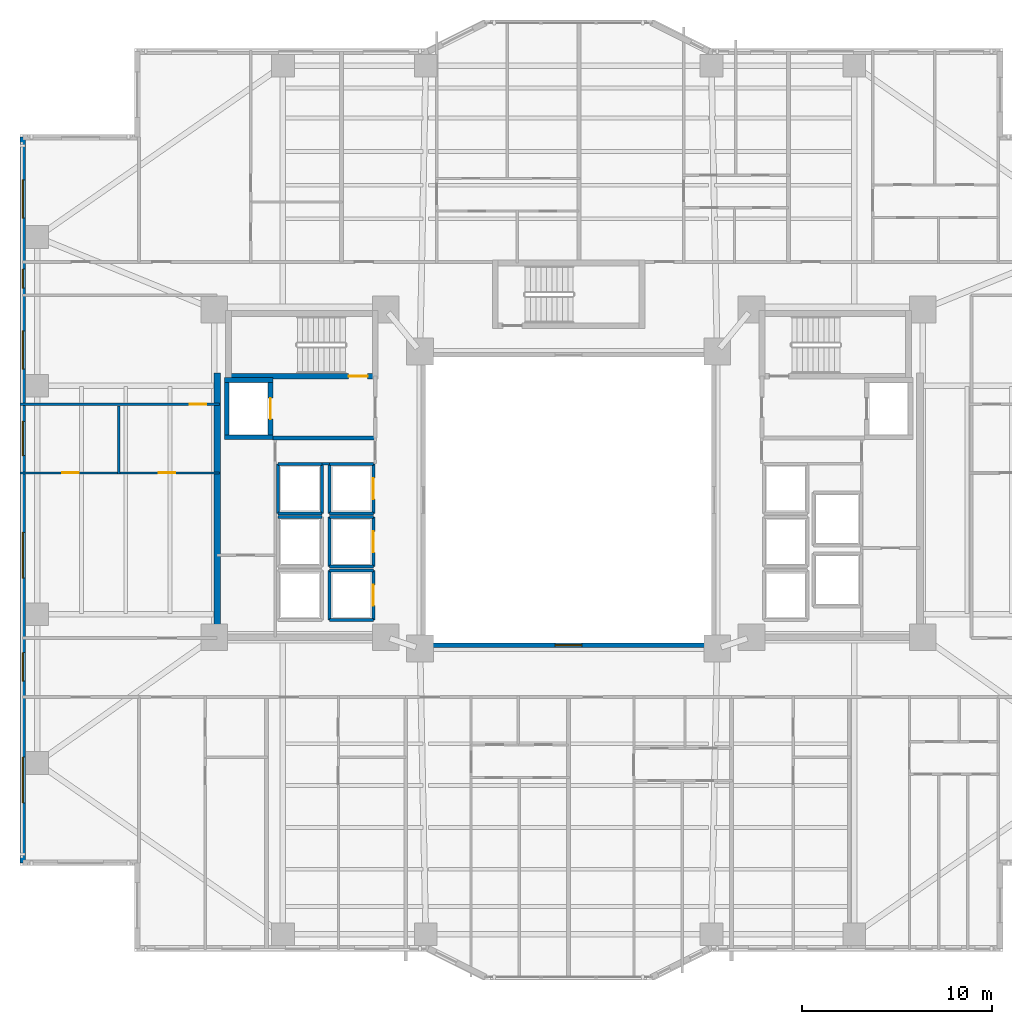
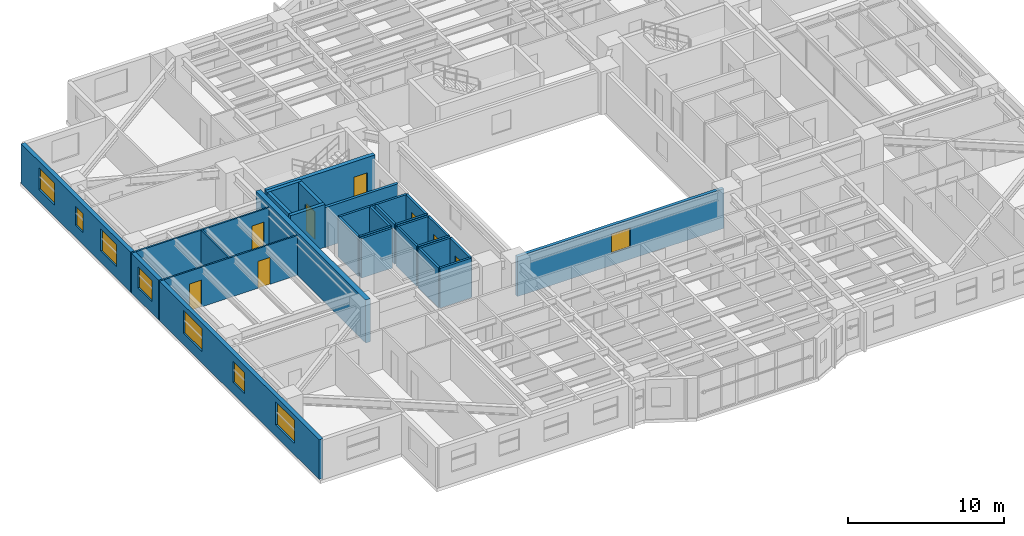
# One storey, part 11 of 22: 30 walls, 8 doors, 8 windows, 16 openings.
"""IFC4 building model written with IfcOpenShell, lengths in metres."""

from ifc_helpers import new_model, si_unit, direction, frame, frame_2d, origin, place, context, subcontext, project, spatial, rectangle, extrude, material, layer, layer_set, type_object, element, fill, save


model = new_model("IFC4")

# Units and contexts
model_context = context("Model", 3, precision=1e-05, world=origin(), true_north=direction((0.0, 1.0)))
body_context = subcontext(model_context, "Body", "Model", "MODEL_VIEW")
ifc_project = project(units=[si_unit("LENGTHUNIT", "METRE"), si_unit("AREAUNIT", "SQUARE_METRE"), si_unit("VOLUMEUNIT", "CUBIC_METRE"), si_unit("PLANEANGLEUNIT", "RADIAN"), si_unit("MASSUNIT", "GRAM", prefix="KILO")], contexts=[model_context])

# Site, building, storey
site_placement = place(None, origin())
site = spatial("IfcSite", under=ifc_project, at=site_placement, CompositionType="ELEMENT")
building_placement = place(site_placement, origin())
building = spatial("IfcBuilding", under=site, at=building_placement, Name="Tarnavaz Court Tower", CompositionType="ELEMENT")
storey_placement = place(building_placement, frame((0.0, 0.0, 57.5)))
storey = spatial("IfcBuildingStorey", under=building, at=storey_placement, Name="L15", CompositionType="ELEMENT", Elevation=57.5)

# Wall
ifc_material_1 = material(Name="Concrete C60/75", Category="concrete")
ifc_layer_1 = layer(ifc_material_1, 0.25)
ifc_layer_set_1 = layer_set([ifc_layer_1], Name="Concrete C60/75")
wall_type_1 = type_object("IfcWallType", Name="WL-CORE-250-C60", PredefinedType="SHEAR", material=ifc_layer_set_1)
wall_1_placement = place(storey_placement, frame((-17.949951171875, 3.175048828125, 0.0), z_axis=(0.0, 0.0, 1.0), x_axis=(0.0, 1.0, 0.0)))
element("IfcWall", 1, at=wall_1_placement, inside=storey, type_object=wall_type_1, Name="L15 Lift FL-W1 Shaft Wall 017", PredefinedType="SHEAR", context=body_context, shape_type="SweptSolid", body=[
    extrude(rectangle(XDim=3.25, YDim=0.25, at=frame_2d((1.625, 0.0))), origin(), (0.0, 0.0, 1.0), 3.35009765625),
])

# Wall, opening, door
wall_2_placement = place(storey_placement, frame((-15.64990234375, 3.175048828125, 0.0), z_axis=(0.0, 0.0, 1.0), x_axis=(0.0, 1.0, 0.0)))
wall_2 = element("IfcWall", 2, at=wall_2_placement, inside=storey, type_object=wall_type_1, Name="L15 Lift FL-W1 Shaft Wall 018", PredefinedType="SHEAR", context=body_context, shape_type="SweptSolid", body=[
    extrude(rectangle(XDim=3.25, YDim=0.25, at=frame_2d((1.625, 0.0))), origin(), (0.0, 0.0, 1.0), 3.35009765625),
])
opening_1_placement = place(wall_2_placement, frame((1.074951171875, 0.0, 0.0)))
opening_1 = element("IfcOpeningElement", 3, at=opening_1_placement, cuts=wall_2, Name="Opening LD1", PredefinedType="OPENING", context=body_context, shape_type="SweptSolid", body=[
    extrude(rectangle(XDim=1.10009765625, YDim=2.14990234375, at=frame_2d((0.550048828125, 1.074951171875))), frame((0.0, 0.135009765625, 0.0), z_axis=(0.0, -1.0, 0.0), x_axis=(1.0, 0.0, 0.0)), (0.0, 0.0, 1.0), 0.27001953125),
])
ifc_material_2 = material(Name="Stainless Steel", Category="steel")
door_type_1 = type_object("IfcDoorType", Name="DR-LD-1100", OperationType="NOTDEFINED", PredefinedType="DOOR", material=ifc_material_2)
door_1_placement = place(opening_1_placement, origin())
door_1 = element("IfcDoor", 4, at=door_1_placement, inside=storey, type_object=door_type_1, Name="L15 Lift Landing Door LD-FL-W1", OperationType="SLIDING_TO_LEFT", OverallHeight=2.14990234375, OverallWidth=1.10009765625, PredefinedType="DOOR", context=body_context, shape_type="SweptSolid", body=[
    extrude(rectangle(XDim=1.10009765625, YDim=2.14990234375, at=frame_2d((0.550048828125, 1.074951171875))), frame((0.0, 0.02490234375, 0.0), z_axis=(0.0, -1.0, 0.0), x_axis=(1.0, 0.0, 0.0)), (0.0, 0.0, 1.0), 0.050048828125),
])
fill(opening_1, door_1)

# Walls
for number, where, z_axis, x_axis, name in (
    (5, (-18.074951171875, 3.300048828125, 0.0), (0.0, 0.0, 1.0), (1.0, 0.0, 0.0), "L15 Lift FL-W1 Shaft Wall 019"),
    (6, (-18.074951171875, 6.300048828125, 0.0), (0.0, 0.0, 1.0), (1.0, 0.0, 0.0), "L15 Lift FL-W1 Shaft Wall 020"),
):
    element("IfcWall", number, at=place(storey_placement, frame(where, z_axis=z_axis, x_axis=x_axis)), inside=storey, type_object=wall_type_1, Name=name, PredefinedType="SHEAR", context=body_context, shape_type="SweptSolid", body=[
        extrude(rectangle(XDim=2.550048828125, YDim=0.25, at=frame_2d((1.27490234375, 0.0))), origin(), (0.0, 0.0, 1.0), 3.35009765625),
    ])

# Wall, opening, door
ifc_layer_2 = layer(ifc_material_1, 0.300048828125)
ifc_layer_set_2 = layer_set([ifc_layer_2], Name="Concrete C60/75")
wall_type_2 = type_object("IfcWallType", Name="WL-CORE-300-C60", PredefinedType="SHEAR", material=ifc_layer_set_2)
wall_3_placement = place(storey_placement, frame((-18.0, 6.5, 0.0), z_axis=(0.0, 0.0, 1.0), x_axis=(1.0, 0.0, 0.0)))
wall_3 = element("IfcWall", 7, at=wall_3_placement, inside=storey, type_object=wall_type_2, Name="L15 West Stair Core Wall 002", PredefinedType="SHEAR", context=body_context, shape_type="SweptSolid", body=[
    extrude(rectangle(XDim=8.0, YDim=0.300048828125, at=frame_2d((4.0, 0.0))), origin(), (0.0, 0.0, 1.0), 3.35009765625),
])
opening_2_placement = place(wall_3_placement, frame((6.449951171875, 0.0, 0.0)))
opening_2 = element("IfcOpeningElement", 8, at=opening_2_placement, cuts=wall_3, Name="Opening D01", PredefinedType="OPENING", context=body_context, shape_type="SweptSolid", body=[
    extrude(rectangle(XDim=1.0, YDim=2.14990234375, at=frame_2d((0.5, 1.074951171875))), frame((0.0, 0.159912109375, 0.0), z_axis=(0.0, -1.0, 0.0), x_axis=(1.0, 0.0, 0.0)), (0.0, 0.0, 1.0), 0.320068359375),
])
ifc_material_3 = material(Name="Fire-Rated Hardwood Timber Core", Category="wood")
door_type_2 = type_object("IfcDoorType", Name="DR-FD90-1000", OperationType="NOTDEFINED", PredefinedType="DOOR", material=ifc_material_3)
door_2_placement = place(opening_2_placement, origin())
door_2 = element("IfcDoor", 9, at=door_2_placement, inside=storey, type_object=door_type_2, Name="L15 Stair ST-W1 Exit Door", OperationType="SINGLE_SWING_LEFT", OverallHeight=2.14990234375, OverallWidth=1.0, PredefinedType="DOOR", context=body_context, shape_type="SweptSolid", body=[
    extrude(rectangle(XDim=1.0, YDim=2.14990234375, at=frame_2d((0.5, 1.074951171875))), frame((0.0, 0.02490234375, 0.0), z_axis=(0.0, -1.0, 0.0), x_axis=(1.0, 0.0, 0.0)), (0.0, 0.0, 1.0), 0.050048828125),
])
fill(opening_2, door_2)

# Wall
ifc_layer_3 = layer(ifc_material_1, 0.35009765625)
ifc_layer_set_3 = layer_set([ifc_layer_3], Name="Concrete C60/75")
wall_type_3 = type_object("IfcWallType", Name="WL-CORE-350-C60", PredefinedType="SHEAR", material=ifc_layer_set_3)
wall_4_placement = place(storey_placement, frame((-18.449951171875, -7.375, 0.0), z_axis=(0.0, 0.0, 1.0), x_axis=(0.0, 1.0, 0.0)))
element("IfcWall", 10, at=wall_4_placement, inside=storey, type_object=wall_type_3, Name="L15 West Core Shear Wall 069", PredefinedType="SHEAR", context=body_context, shape_type="SweptSolid", body=[
    extrude(rectangle(XDim=14.050048828125, YDim=0.35009765625, at=frame_2d((7.02490234375, 0.0))), origin(), (0.0, 0.0, 1.0), 3.35009765625),
])

# Wall, openings, windows
ifc_material_4 = material(Name="Precast Concrete C40/50", Category="concrete")
ifc_layer_4 = layer(ifc_material_4, 0.300048828125)
ifc_layer_set_4 = layer_set([ifc_layer_4], Name="Precast Concrete C40/50")
wall_type_4 = type_object("IfcWallType", Name="WL-EXT-300", PredefinedType="SOLIDWALL", material=ifc_layer_set_4)
wall_5_placement = place(storey_placement, frame((-28.64990234375, -19.050048828125, 0.0), z_axis=(0.0, 0.0, 1.0), x_axis=(0.0, 1.0, 0.0)))
wall_5 = element("IfcWall", 11, at=wall_5_placement, inside=storey, type_object=wall_type_4, Name="L15 Exterior Terracotta Facade Wall 02", PredefinedType="SOLIDWALL", context=body_context, shape_type="SweptSolid", body=[
    extrude(rectangle(XDim=38.10009765625, YDim=0.300048828125, at=frame_2d((19.050048828125, 0.0))), origin(), (0.0, 0.0, 1.0), 3.10009765625),
])
opening_3_placement = place(wall_5_placement, frame((3.14990234375, 0.0, 0.89990234375)))
opening_3 = element("IfcOpeningElement", 12, at=opening_3_placement, cuts=wall_5, Name="Opening W06", PredefinedType="OPENING", context=body_context, shape_type="SweptSolid", body=[
    extrude(rectangle(XDim=2.39990234375, YDim=1.800048828125, at=frame_2d((1.199951171875, 0.89990234375))), frame((0.0, 0.159912109375, 0.0), z_axis=(0.0, -1.0, 0.0), x_axis=(1.0, 0.0, 0.0)), (0.0, 0.0, 1.0), 0.320068359375),
])
opening_4_placement = place(wall_5_placement, frame((9.54248046875, 0.0, 0.89990234375)))
opening_4 = element("IfcOpeningElement", 13, at=opening_4_placement, cuts=wall_5, Name="Opening W03", PredefinedType="OPENING", context=body_context, shape_type="SweptSolid", body=[
    extrude(rectangle(XDim=1.5, YDim=1.64990234375, at=frame_2d((0.75, 0.824951171875))), frame((0.0, 0.159912109375, 0.0), z_axis=(0.0, -1.0, 0.0), x_axis=(1.0, 0.0, 0.0)), (0.0, 0.0, 1.0), 0.320068359375),
])
opening_5_placement = place(wall_5_placement, frame((14.949951171875, 0.0, 0.89990234375)))
opening_5 = element("IfcOpeningElement", 14, at=opening_5_placement, cuts=wall_5, Name="Opening W06", PredefinedType="OPENING", context=body_context, shape_type="SweptSolid", body=[
    extrude(rectangle(XDim=2.39990234375, YDim=1.800048828125, at=frame_2d((1.199951171875, 0.89990234375))), frame((0.0, 0.159912109375, 0.0), z_axis=(0.0, -1.0, 0.0), x_axis=(1.0, 0.0, 0.0)), (0.0, 0.0, 1.0), 0.320068359375),
])
opening_6_placement = place(wall_5_placement, frame((21.375, 0.0, 0.89990234375)))
opening_6 = element("IfcOpeningElement", 15, at=opening_6_placement, cuts=wall_5, Name="Opening W01", PredefinedType="OPENING", context=body_context, shape_type="SweptSolid", body=[
    extrude(rectangle(XDim=1.800048828125, YDim=1.64990234375, at=frame_2d((0.89990234375, 0.824951171875))), frame((0.0, 0.159912109375, 0.0), z_axis=(0.0, -1.0, 0.0), x_axis=(1.0, 0.0, 0.0)), (0.0, 0.0, 1.0), 0.320068359375),
])
opening_7_placement = place(wall_5_placement, frame((25.925048828125, 0.0, 0.89990234375)))
opening_7 = element("IfcOpeningElement", 16, at=opening_7_placement, cuts=wall_5, Name="Opening W08", PredefinedType="OPENING", context=body_context, shape_type="SweptSolid", body=[
    extrude(rectangle(XDim=2.0, YDim=1.699951171875, at=frame_2d((1.0, 0.85009765625))), frame((0.0, 0.159912109375, 0.0), z_axis=(0.0, -1.0, 0.0), x_axis=(1.0, 0.0, 0.0)), (0.0, 0.0, 1.0), 0.320068359375),
])
opening_8_placement = place(wall_5_placement, frame((30.175048828125, 0.0, 0.949951171875)))
opening_8 = element("IfcOpeningElement", 17, at=opening_8_placement, cuts=wall_5, Name="Opening W14", PredefinedType="OPENING", context=body_context, shape_type="SweptSolid", body=[
    extrude(rectangle(XDim=1.0, YDim=1.5, at=frame_2d((0.5, 0.75))), frame((0.0, 0.159912109375, 0.0), z_axis=(0.0, -1.0, 0.0), x_axis=(1.0, 0.0, 0.0)), (0.0, 0.0, 1.0), 0.320068359375),
])
opening_9_placement = place(wall_5_placement, frame((33.85009765625, 0.0, 0.89990234375)))
opening_9 = element("IfcOpeningElement", 18, at=opening_9_placement, cuts=wall_5, Name="Opening W08", PredefinedType="OPENING", context=body_context, shape_type="SweptSolid", body=[
    extrude(rectangle(XDim=2.0, YDim=1.699951171875, at=frame_2d((1.0, 0.85009765625))), frame((0.0, 0.159912109375, 0.0), z_axis=(0.0, -1.0, 0.0), x_axis=(1.0, 0.0, 0.0)), (0.0, 0.0, 1.0), 0.320068359375),
])
ifc_material_5 = material(Name="Double-Glazed Solar Low-E Glass", Category="glass")
window_type_1 = type_object("IfcWindowType", Name="WN-APT-1000", PartitioningType="SINGLE_PANEL", PredefinedType="WINDOW", material=ifc_material_5)
window_1_placement = place(opening_8_placement, origin())
window_1 = element("IfcWindow", 19, at=window_1_placement, inside=storey, type_object=window_type_1, Name="L15 North-West Corner Corridor Window", OverallHeight=1.5, OverallWidth=1.0, PartitioningType="SINGLE_PANEL", PredefinedType="WINDOW", context=body_context, shape_type="SweptSolid", body=[
    extrude(rectangle(XDim=1.0, YDim=1.5, at=frame_2d((0.5, 0.75))), frame((0.0, 0.030029296875, 0.0), z_axis=(0.0, -1.0, 0.0), x_axis=(1.0, 0.0, 0.0)), (0.0, 0.0, 1.0), 0.06005859375),
])
fill(opening_8, window_1)
window_type_2 = type_object("IfcWindowType", Name="WN-APT-1500", PartitioningType="DOUBLE_PANEL_VERTICAL", PredefinedType="WINDOW", material=ifc_material_5)
window_2_placement = place(opening_4_placement, origin())
window_2 = element("IfcWindow", 20, at=window_2_placement, inside=storey, type_object=window_type_2, Name="L15 South-West Corner Corridor Window", OverallHeight=1.64990234375, OverallWidth=1.5, PartitioningType="SINGLE_PANEL", PredefinedType="WINDOW", context=body_context, shape_type="SweptSolid", body=[
    extrude(rectangle(XDim=1.5, YDim=1.64990234375, at=frame_2d((0.75, 0.824951171875))), frame((0.0, 0.030029296875, 0.0), z_axis=(0.0, -1.0, 0.0), x_axis=(1.0, 0.0, 0.0)), (0.0, 0.0, 1.0), 0.06005859375),
])
fill(opening_4, window_2)
window_type_3 = type_object("IfcWindowType", Name="WN-APT-1800", PartitioningType="DOUBLE_PANEL_VERTICAL", PredefinedType="WINDOW", material=ifc_material_5)
window_3_placement = place(opening_6_placement, origin())
window_3 = element("IfcWindow", 21, at=window_3_placement, inside=storey, type_object=window_type_3, Name="L15 Flat 11 Kitchen Window", OverallHeight=1.64990234375, OverallWidth=1.800048828125, PartitioningType="SINGLE_PANEL", PredefinedType="WINDOW", context=body_context, shape_type="SweptSolid", body=[
    extrude(rectangle(XDim=1.800048828125, YDim=1.64990234375, at=frame_2d((0.89990234375, 0.824951171875))), frame((0.0, 0.030029296875, 0.0), z_axis=(0.0, -1.0, 0.0), x_axis=(1.0, 0.0, 0.0)), (0.0, 0.0, 1.0), 0.06005859375),
])
fill(opening_6, window_3)
window_type_4 = type_object("IfcWindowType", Name="WN-APT-2000", PartitioningType="DOUBLE_PANEL_VERTICAL", PredefinedType="WINDOW", material=ifc_material_5)
window_4_placement = place(opening_7_placement, origin())
window_4 = element("IfcWindow", 22, at=window_4_placement, inside=storey, type_object=window_type_4, Name="L15 Flat 11 Study Room Window", OverallHeight=1.699951171875, OverallWidth=2.0, PartitioningType="SINGLE_PANEL", PredefinedType="WINDOW", context=body_context, shape_type="SweptSolid", body=[
    extrude(rectangle(XDim=2.0, YDim=1.699951171875, at=frame_2d((1.0, 0.85009765625))), frame((0.0, 0.030029296875, 0.0), z_axis=(0.0, -1.0, 0.0), x_axis=(1.0, 0.0, 0.0)), (0.0, 0.0, 1.0), 0.06005859375),
])
fill(opening_7, window_4)
window_5_placement = place(opening_9_placement, origin())
window_5 = element("IfcWindow", 23, at=window_5_placement, inside=storey, type_object=window_type_4, Name="L15 North-West Corner Sunroom Study Window", OverallHeight=1.699951171875, OverallWidth=2.0, PartitioningType="SINGLE_PANEL", PredefinedType="WINDOW", context=body_context, shape_type="SweptSolid", body=[
    extrude(rectangle(XDim=2.0, YDim=1.699951171875, at=frame_2d((1.0, 0.85009765625))), frame((0.0, 0.030029296875, 0.0), z_axis=(0.0, -1.0, 0.0), x_axis=(1.0, 0.0, 0.0)), (0.0, 0.0, 1.0), 0.06005859375),
])
fill(opening_9, window_5)
window_type_5 = type_object("IfcWindowType", Name="WN-APT-2400", PartitioningType="TRIPLE_PANEL_VERTICAL", PredefinedType="WINDOW", material=ifc_material_5)
window_6_placement = place(opening_3_placement, origin())
window_6 = element("IfcWindow", 24, at=window_6_placement, inside=storey, type_object=window_type_5, Name="L15 South-West Corner Reading Room Window", OverallHeight=1.800048828125, OverallWidth=2.39990234375, PartitioningType="SINGLE_PANEL", PredefinedType="WINDOW", context=body_context, shape_type="SweptSolid", body=[
    extrude(rectangle(XDim=2.39990234375, YDim=1.800048828125, at=frame_2d((1.199951171875, 0.89990234375))), frame((0.0, 0.030029296875, 0.0), z_axis=(0.0, -1.0, 0.0), x_axis=(1.0, 0.0, 0.0)), (0.0, 0.0, 1.0), 0.06005859375),
])
fill(opening_3, window_6)
window_7_placement = place(opening_5_placement, origin())
window_7 = element("IfcWindow", 25, at=window_7_placement, inside=storey, type_object=window_type_5, Name="L15 Flat 11 Studio Living and Sleeping Room Window", OverallHeight=1.800048828125, OverallWidth=2.39990234375, PartitioningType="SINGLE_PANEL", PredefinedType="WINDOW", context=body_context, shape_type="SweptSolid", body=[
    extrude(rectangle(XDim=2.39990234375, YDim=1.800048828125, at=frame_2d((1.199951171875, 0.89990234375))), frame((0.0, 0.030029296875, 0.0), z_axis=(0.0, -1.0, 0.0), x_axis=(1.0, 0.0, 0.0)), (0.0, 0.0, 1.0), 0.06005859375),
])
fill(opening_5, window_7)

# Wall
ifc_material_6 = material(Name="Autoclaved Aerated Concrete Blockwork", Category="masonry")
ifc_layer_5 = layer(ifc_material_6, 0.199951171875)
ifc_layer_set_5 = layer_set([ifc_layer_5], Name="Autoclaved Aerated Concrete Blockwork")
wall_type_5 = type_object("IfcWallType", Name="WL-FIRE-200", PredefinedType="SOLIDWALL", material=ifc_layer_set_5)
wall_6_placement = place(storey_placement, frame((-15.550048828125, 3.25, 0.0), z_axis=(0.0, 0.0, 1.0), x_axis=(1.0, 0.0, 0.0)))
element("IfcWall", 26, at=wall_6_placement, inside=storey, type_object=wall_type_5, Name="L15 West Firefighting Lobby Wall 013", PredefinedType="SOLIDWALL", context=body_context, shape_type="SweptSolid", body=[
    extrude(rectangle(XDim=5.400146484375, YDim=0.199951171875, at=frame_2d((2.7001953125, 0.0))), origin(), (0.0, 0.0, 1.0), 3.10009765625),
])

# Wall, openings, doors
ifc_material_7 = material(Name="Moisture-Resistant Gypsum Board Partition", Category="masonry")
ifc_layer_6 = layer(ifc_material_7, 0.1201171875)
ifc_layer_set_6 = layer_set([ifc_layer_6], Name="Moisture-Resistant Gypsum Board Partition")
wall_type_6 = type_object("IfcWallType", Name="WL-PART-120", PredefinedType="PARTITIONING", material=ifc_layer_set_6)
wall_7_placement = place(storey_placement, frame((-28.800048828125, 1.419921875, 0.0), z_axis=(0.0, 0.0, 1.0), x_axis=(1.0, 0.0, 0.0)))
wall_7 = element("IfcWall", 27, at=wall_7_placement, inside=storey, type_object=wall_type_6, Name="L15 Interior Partition 156", PredefinedType="PARTITIONING", context=body_context, shape_type="SweptSolid", body=[
    extrude(rectangle(XDim=10.469970703125, YDim=0.1201171875, at=frame_2d((5.23486328125, 0.0))), origin(), (0.0, 0.0, 1.0), 3.10009765625),
])
opening_10_placement = place(wall_7_placement, frame((2.212890625, 0.0, 0.0)))
opening_10 = element("IfcOpeningElement", 28, at=opening_10_placement, cuts=wall_7, Name="Opening D14", PredefinedType="OPENING", context=body_context, shape_type="SweptSolid", body=[
    extrude(rectangle(XDim=0.8798828125, YDim=2.10009765625, at=frame_2d((0.43994140625, 1.050048828125))), frame((0.0, 0.070068359375, 0.0), z_axis=(0.0, -1.0, 0.0), x_axis=(1.0, 0.0, 0.0)), (0.0, 0.0, 1.0), 0.14013671875),
])
opening_11_placement = place(wall_7_placement, frame((7.278076171875, 0.0, 0.0)))
opening_11 = element("IfcOpeningElement", 29, at=opening_11_placement, cuts=wall_7, Name="Opening D14", PredefinedType="OPENING", context=body_context, shape_type="SweptSolid", body=[
    extrude(rectangle(XDim=0.8798828125, YDim=2.10009765625, at=frame_2d((0.43994140625, 1.050048828125))), frame((0.0, 0.070068359375, 0.0), z_axis=(0.0, -1.0, 0.0), x_axis=(1.0, 0.0, 0.0)), (0.0, 0.0, 1.0), 0.14013671875),
])
ifc_material_8 = material(Name="Engineered Oak Timber", Category="wood")
door_type_3 = type_object("IfcDoorType", Name="DR-INT-900", OperationType="NOTDEFINED", PredefinedType="DOOR", material=ifc_material_8)
door_3_placement = place(opening_10_placement, origin())
door_3 = element("IfcDoor", 30, at=door_3_placement, inside=storey, type_object=door_type_3, Name="L15 Flat 11 Kitchen Door", OperationType="SINGLE_SWING_LEFT", OverallHeight=2.10009765625, OverallWidth=0.8798828125, PredefinedType="DOOR", context=body_context, shape_type="SweptSolid", body=[
    extrude(rectangle(XDim=0.8798828125, YDim=2.10009765625, at=frame_2d((0.43994140625, 1.050048828125))), frame((0.0, 0.02490234375, 0.0), z_axis=(0.0, -1.0, 0.0), x_axis=(1.0, 0.0, 0.0)), (0.0, 0.0, 1.0), 0.050048828125),
])
fill(opening_10, door_3)
door_4_placement = place(opening_11_placement, origin())
door_4 = element("IfcDoor", 31, at=door_4_placement, inside=storey, type_object=door_type_3, Name="L15 Flat 11 Bathroom Door", OperationType="SINGLE_SWING_RIGHT", OverallHeight=2.10009765625, OverallWidth=0.8798828125, PredefinedType="DOOR", context=body_context, shape_type="SweptSolid", body=[
    extrude(rectangle(XDim=0.8798828125, YDim=2.10009765625, at=frame_2d((0.43994140625, 1.050048828125))), frame((0.0, 0.02490234375, 0.0), z_axis=(0.0, -1.0, 0.0), x_axis=(1.0, 0.0, 0.0)), (0.0, 0.0, 1.0), 0.050048828125),
])
fill(opening_11, door_4)

# Wall, opening, door
wall_8_placement = place(storey_placement, frame((-28.800048828125, 5.02001953125, 0.0), z_axis=(0.0, 0.0, 1.0), x_axis=(1.0, 0.0, 0.0)))
wall_8 = element("IfcWall", 32, at=wall_8_placement, inside=storey, type_object=wall_type_6, Name="L15 Interior Partition 157", PredefinedType="PARTITIONING", context=body_context, shape_type="SweptSolid", body=[
    extrude(rectangle(XDim=10.469970703125, YDim=0.1201171875, at=frame_2d((5.23486328125, 0.0))), origin(), (0.0, 0.0, 1.0), 3.10009765625),
])
opening_12_placement = place(wall_8_placement, frame((8.89990234375, 0.0, 0.0)))
opening_12 = element("IfcOpeningElement", 33, at=opening_12_placement, cuts=wall_8, Name="Opening D14", PredefinedType="OPENING", context=body_context, shape_type="SweptSolid", body=[
    extrude(rectangle(XDim=0.8798828125, YDim=2.10009765625, at=frame_2d((0.43994140625, 1.050048828125))), frame((0.0, 0.070068359375, 0.0), z_axis=(0.0, -1.0, 0.0), x_axis=(1.0, 0.0, 0.0)), (0.0, 0.0, 1.0), 0.14013671875),
])
door_5_placement = place(opening_12_placement, origin())
door_5 = element("IfcDoor", 34, at=door_5_placement, inside=storey, type_object=door_type_3, Name="L15 Flat 11 Study Door", OperationType="SINGLE_SWING_LEFT", OverallHeight=2.10009765625, OverallWidth=0.8798828125, PredefinedType="DOOR", context=body_context, shape_type="SweptSolid", body=[
    extrude(rectangle(XDim=0.8798828125, YDim=2.10009765625, at=frame_2d((0.43994140625, 1.050048828125))), frame((0.0, 0.02490234375, 0.0), z_axis=(0.0, -1.0, 0.0), x_axis=(1.0, 0.0, 0.0)), (0.0, 0.0, 1.0), 0.050048828125),
])
fill(opening_12, door_5)

# Walls
wall_9_placement = place(storey_placement, frame((-23.614990234375, 1.360107421875, 0.0), z_axis=(0.0, 0.0, 1.0), x_axis=(0.0, 1.0, 0.0)))
element("IfcWall", 35, at=wall_9_placement, inside=storey, type_object=wall_type_6, Name="L15 Interior Partition 158", PredefinedType="PARTITIONING", context=body_context, shape_type="SweptSolid", body=[
    extrude(rectangle(XDim=3.579833984375, YDim=0.1201171875, at=frame_2d((1.7900390625, 0.0))), origin(), (0.0, 0.0, 1.0), 3.10009765625),
])
ifc_material_9 = material(Name="Gypsum Plasterboard Acoustic Partition", Category="masonry")
ifc_layer_7 = layer(ifc_material_9, 0.139892578125)
ifc_layer_set_7 = layer_set([ifc_layer_7], Name="Gypsum Plasterboard Acoustic Partition")
wall_type_7 = type_object("IfcWallType", Name="WL-PART-150", PredefinedType="PARTITIONING", material=ifc_layer_set_7)
wall_10_placement = place(storey_placement, frame((-12.949951171875, 1.89990234375, 0.0), z_axis=(0.0, 0.0, 1.0), x_axis=(1.0, 0.0, 0.0)))
element("IfcWall", 36, at=wall_10_placement, inside=storey, type_object=wall_type_7, Name="L15 Interior Partition 073", PredefinedType="PARTITIONING", context=body_context, shape_type="SweptSolid", body=[
    extrude(rectangle(XDim=0.39990234375, YDim=0.139892578125, at=frame_2d((0.199951171875, 0.0))), origin(), (0.0, 0.0, 1.0), 3.10009765625),
])
ifc_layer_8 = layer(ifc_material_6, 0.159912109375)
ifc_layer_set_8 = layer_set([ifc_layer_8], Name="Autoclaved Aerated Concrete Blockwork")
wall_type_8 = type_object("IfcWallType", Name="WL-SHAFT-150", PredefinedType="SOLIDWALL", material=ifc_layer_set_8)
wall_11_placement = place(storey_placement, frame((-12.550048828125, -6.300048828125, 0.0), z_axis=(0.0, 0.0, 1.0), x_axis=(0.0, 1.0, 0.0)))
element("IfcWall", 37, at=wall_11_placement, inside=storey, type_object=wall_type_8, Name="L15 Lift PL-L1 Shaft Wall 021", PredefinedType="SOLIDWALL", context=body_context, shape_type="SweptSolid", body=[
    extrude(rectangle(XDim=2.60009765625, YDim=0.159912109375, at=frame_2d((1.300048828125, 0.0))), origin(), (0.0, 0.0, 1.0), 3.10009765625),
])

# Wall, opening, door
wall_12_placement = place(storey_placement, frame((-10.25, -6.300048828125, 0.0), z_axis=(0.0, 0.0, 1.0), x_axis=(0.0, 1.0, 0.0)))
wall_12 = element("IfcWall", 38, at=wall_12_placement, inside=storey, type_object=wall_type_8, Name="L15 Lift PL-L1 Shaft Wall 022", PredefinedType="SOLIDWALL", context=body_context, shape_type="SweptSolid", body=[
    extrude(rectangle(XDim=2.60009765625, YDim=0.159912109375, at=frame_2d((1.300048828125, 0.0))), origin(), (0.0, 0.0, 1.0), 3.10009765625),
])
opening_13_placement = place(wall_12_placement, frame((0.75, 0.0, 0.0)))
opening_13 = element("IfcOpeningElement", 39, at=opening_13_placement, cuts=wall_12, Name="Opening LD1", PredefinedType="OPENING", context=body_context, shape_type="SweptSolid", body=[
    extrude(rectangle(XDim=1.10009765625, YDim=2.14990234375, at=frame_2d((0.550048828125, 1.074951171875))), frame((0.0, 0.08984375, 0.0), z_axis=(0.0, -1.0, 0.0), x_axis=(1.0, 0.0, 0.0)), (0.0, 0.0, 1.0), 0.179931640625),
])
door_6_placement = place(opening_13_placement, origin())
door_6 = element("IfcDoor", 40, at=door_6_placement, inside=storey, type_object=door_type_1, Name="L15 Lift Landing Door LD-PL-L1", OperationType="SLIDING_TO_LEFT", OverallHeight=2.14990234375, OverallWidth=1.10009765625, PredefinedType="DOOR", context=body_context, shape_type="SweptSolid", body=[
    extrude(rectangle(XDim=1.10009765625, YDim=2.14990234375, at=frame_2d((0.550048828125, 1.074951171875))), frame((0.0, 0.02490234375, 0.0), z_axis=(0.0, -1.0, 0.0), x_axis=(1.0, 0.0, 0.0)), (0.0, 0.0, 1.0), 0.050048828125),
])
fill(opening_13, door_6)

# Walls
for number, where, z_axis, x_axis, name in (
    (41, (-12.550048828125, -6.300048828125, 0.0), (0.0, 0.0, 1.0), (1.0, 0.0, 0.0), "L15 Lift PL-L1 Shaft Wall 023"),
    (42, (-12.550048828125, -3.699951171875, 0.0), (0.0, 0.0, 1.0), (1.0, 0.0, 0.0), "L15 Lift PL-L1 Shaft Wall 024"),
):
    element("IfcWall", number, at=place(storey_placement, frame(where, z_axis=z_axis, x_axis=x_axis)), inside=storey, type_object=wall_type_8, Name=name, PredefinedType="SOLIDWALL", context=body_context, shape_type="SweptSolid", body=[
        extrude(rectangle(XDim=2.300048828125, YDim=0.159912109375, at=frame_2d((1.14990234375, 0.0))), origin(), (0.0, 0.0, 1.0), 3.10009765625),
    ])
wall_13_placement = place(storey_placement, frame((-12.550048828125, -3.5, 0.0), z_axis=(0.0, 0.0, 1.0), x_axis=(0.0, 1.0, 0.0)))
element("IfcWall", 43, at=wall_13_placement, inside=storey, type_object=wall_type_8, Name="L15 Lift PL-L2 Shaft Wall 025", PredefinedType="SOLIDWALL", context=body_context, shape_type="SweptSolid", body=[
    extrude(rectangle(XDim=2.60009765625, YDim=0.159912109375, at=frame_2d((1.300048828125, 0.0))), origin(), (0.0, 0.0, 1.0), 3.10009765625),
])

# Wall, opening, door
wall_14_placement = place(storey_placement, frame((-10.25, -3.5, 0.0), z_axis=(0.0, 0.0, 1.0), x_axis=(0.0, 1.0, 0.0)))
wall_14 = element("IfcWall", 44, at=wall_14_placement, inside=storey, type_object=wall_type_8, Name="L15 Lift PL-L2 Shaft Wall 026", PredefinedType="SOLIDWALL", context=body_context, shape_type="SweptSolid", body=[
    extrude(rectangle(XDim=2.60009765625, YDim=0.159912109375, at=frame_2d((1.300048828125, 0.0))), origin(), (0.0, 0.0, 1.0), 3.10009765625),
])
opening_14_placement = place(wall_14_placement, frame((0.75, 0.0, 0.0)))
opening_14 = element("IfcOpeningElement", 45, at=opening_14_placement, cuts=wall_14, Name="Opening LD1", PredefinedType="OPENING", context=body_context, shape_type="SweptSolid", body=[
    extrude(rectangle(XDim=1.10009765625, YDim=2.14990234375, at=frame_2d((0.550048828125, 1.074951171875))), frame((0.0, 0.08984375, 0.0), z_axis=(0.0, -1.0, 0.0), x_axis=(1.0, 0.0, 0.0)), (0.0, 0.0, 1.0), 0.179931640625),
])
door_7_placement = place(opening_14_placement, origin())
door_7 = element("IfcDoor", 46, at=door_7_placement, inside=storey, type_object=door_type_1, Name="L15 Lift Landing Door LD-PL-L2", OperationType="SLIDING_TO_LEFT", OverallHeight=2.14990234375, OverallWidth=1.10009765625, PredefinedType="DOOR", context=body_context, shape_type="SweptSolid", body=[
    extrude(rectangle(XDim=1.10009765625, YDim=2.14990234375, at=frame_2d((0.550048828125, 1.074951171875))), frame((0.0, 0.02490234375, 0.0), z_axis=(0.0, -1.0, 0.0), x_axis=(1.0, 0.0, 0.0)), (0.0, 0.0, 1.0), 0.050048828125),
])
fill(opening_14, door_7)

# Walls
for number, where, z_axis, x_axis, name in (
    (47, (-12.550048828125, -3.5, 0.0), (0.0, 0.0, 1.0), (1.0, 0.0, 0.0), "L15 Lift PL-L2 Shaft Wall 027"),
    (48, (-12.550048828125, -0.89990234375, 0.0), (0.0, 0.0, 1.0), (1.0, 0.0, 0.0), "L15 Lift PL-L2 Shaft Wall 028"),
):
    element("IfcWall", number, at=place(storey_placement, frame(where, z_axis=z_axis, x_axis=x_axis)), inside=storey, type_object=wall_type_8, Name=name, PredefinedType="SOLIDWALL", context=body_context, shape_type="SweptSolid", body=[
        extrude(rectangle(XDim=2.300048828125, YDim=0.159912109375, at=frame_2d((1.14990234375, 0.0))), origin(), (0.0, 0.0, 1.0), 3.10009765625),
    ])
wall_15_placement = place(storey_placement, frame((-12.550048828125, -0.699951171875, 0.0), z_axis=(0.0, 0.0, 1.0), x_axis=(0.0, 1.0, 0.0)))
element("IfcWall", 49, at=wall_15_placement, inside=storey, type_object=wall_type_8, Name="L15 Lift PL-L3 Shaft Wall 029", PredefinedType="SOLIDWALL", context=body_context, shape_type="SweptSolid", body=[
    extrude(rectangle(XDim=2.599853515625, YDim=0.159912109375, at=frame_2d((1.2998046875, 0.0))), origin(), (0.0, 0.0, 1.0), 3.10009765625),
])

# Wall, opening, door
wall_16_placement = place(storey_placement, frame((-10.25, -0.699951171875, 0.0), z_axis=(0.0, 0.0, 1.0), x_axis=(0.0, 1.0, 0.0)))
wall_16 = element("IfcWall", 50, at=wall_16_placement, inside=storey, type_object=wall_type_8, Name="L15 Lift PL-L3 Shaft Wall 030", PredefinedType="SOLIDWALL", context=body_context, shape_type="SweptSolid", body=[
    extrude(rectangle(XDim=2.599853515625, YDim=0.159912109375, at=frame_2d((1.2998046875, 0.0))), origin(), (0.0, 0.0, 1.0), 3.10009765625),
])
opening_15_placement = place(wall_16_placement, frame((0.75, 0.0, 0.0)))
opening_15 = element("IfcOpeningElement", 51, at=opening_15_placement, cuts=wall_16, Name="Opening LD1", PredefinedType="OPENING", context=body_context, shape_type="SweptSolid", body=[
    extrude(rectangle(XDim=1.10009765625, YDim=2.14990234375, at=frame_2d((0.550048828125, 1.074951171875))), frame((0.0, 0.08984375, 0.0), z_axis=(0.0, -1.0, 0.0), x_axis=(1.0, 0.0, 0.0)), (0.0, 0.0, 1.0), 0.179931640625),
])
door_8_placement = place(opening_15_placement, origin())
door_8 = element("IfcDoor", 52, at=door_8_placement, inside=storey, type_object=door_type_1, Name="L15 Lift Landing Door LD-PL-L3", OperationType="SLIDING_TO_LEFT", OverallHeight=2.14990234375, OverallWidth=1.10009765625, PredefinedType="DOOR", context=body_context, shape_type="SweptSolid", body=[
    extrude(rectangle(XDim=1.10009765625, YDim=2.14990234375, at=frame_2d((0.550048828125, 1.074951171875))), frame((0.0, 0.02490234375, 0.0), z_axis=(0.0, -1.0, 0.0), x_axis=(1.0, 0.0, 0.0)), (0.0, 0.0, 1.0), 0.050048828125),
])
fill(opening_15, door_8)

# Walls
for number, where, z_axis, x_axis, name in (
    (53, (-12.550048828125, -0.699951171875, 0.0), (0.0, 0.0, 1.0), (1.0, 0.0, 0.0), "L15 Lift PL-L3 Shaft Wall 031"),
    (54, (-12.550048828125, 1.89990234375, 0.0), (0.0, 0.0, 1.0), (1.0, 0.0, 0.0), "L15 Lift PL-L3 Shaft Wall 032"),
    (55, (-15.25, -0.89990234375, 0.0), (0.0, 0.0, 1.0), (1.0, 0.0, 0.0), "L15 Lift PL-H2 Shaft Wall 040"),
):
    element("IfcWall", number, at=place(storey_placement, frame(where, z_axis=z_axis, x_axis=x_axis)), inside=storey, type_object=wall_type_8, Name=name, PredefinedType="SOLIDWALL", context=body_context, shape_type="SweptSolid", body=[
        extrude(rectangle(XDim=2.300048828125, YDim=0.159912109375, at=frame_2d((1.14990234375, 0.0))), origin(), (0.0, 0.0, 1.0), 3.10009765625),
    ])
for number, where, z_axis, x_axis, name in (
    (56, (-15.25, -0.699951171875, 0.0), (0.0, 0.0, 1.0), (0.0, 1.0, 0.0), "L15 Lift PL-H3 Shaft Wall 041"),
    (57, (-12.949951171875, -0.699951171875, 0.0), (0.0, 0.0, 1.0), (0.0, 1.0, 0.0), "L15 Lift PL-H3 Shaft Wall 042"),
):
    element("IfcWall", number, at=place(storey_placement, frame(where, z_axis=z_axis, x_axis=x_axis)), inside=storey, type_object=wall_type_8, Name=name, PredefinedType="SOLIDWALL", context=body_context, shape_type="SweptSolid", body=[
        extrude(rectangle(XDim=2.599853515625, YDim=0.159912109375, at=frame_2d((1.2998046875, 0.0))), origin(), (0.0, 0.0, 1.0), 3.10009765625),
    ])
for number, where, z_axis, x_axis, name in (
    (58, (-15.25, -0.699951171875, 0.0), (0.0, 0.0, 1.0), (1.0, 0.0, 0.0), "L15 Lift PL-H3 Shaft Wall 043"),
    (59, (-15.25, 1.89990234375, 0.0), (0.0, 0.0, 1.0), (1.0, 0.0, 0.0), "L15 Lift PL-H3 Shaft Wall 044"),
):
    element("IfcWall", number, at=place(storey_placement, frame(where, z_axis=z_axis, x_axis=x_axis)), inside=storey, type_object=wall_type_8, Name=name, PredefinedType="SOLIDWALL", context=body_context, shape_type="SweptSolid", body=[
        extrude(rectangle(XDim=2.300048828125, YDim=0.159912109375, at=frame_2d((1.14990234375, 0.0))), origin(), (0.0, 0.0, 1.0), 3.10009765625),
    ])

# Wall, opening, window
ifc_layer_9 = layer(ifc_material_4, 0.239990234375)
ifc_layer_set_9 = layer_set([ifc_layer_9], Name="Precast Concrete C40/50")
wall_type_9 = type_object("IfcWallType", Name="WL-WELL-240", PredefinedType="SOLIDWALL", material=ifc_layer_set_9)
wall_17_placement = place(storey_placement, frame((-7.6201171875, -7.6201171875, 0.0), z_axis=(0.0, 0.0, 1.0), x_axis=(1.0, 0.0, 0.0)))
wall_17 = element("IfcWall", 60, at=wall_17_placement, inside=storey, type_object=wall_type_9, Name="L15 Badgir Light-Well Exterior Wall S", PredefinedType="SOLIDWALL", context=body_context, shape_type="SweptSolid", body=[
    extrude(rectangle(XDim=15.240234375, YDim=0.239990234375, at=frame_2d((7.6201171875, 0.0))), origin(), (0.0, 0.0, 1.0), 3.10009765625),
])
opening_16_placement = place(wall_17_placement, frame((6.919921875, 0.0, 0.949951171875)))
opening_16 = element("IfcOpeningElement", 61, at=opening_16_placement, cuts=wall_17, Name="Opening W13", PredefinedType="OPENING", context=body_context, shape_type="SweptSolid", body=[
    extrude(rectangle(XDim=1.39990234375, YDim=1.5, at=frame_2d((0.699951171875, 0.75))), frame((0.0, 0.1298828125, 0.0), z_axis=(0.0, -1.0, 0.0), x_axis=(1.0, 0.0, 0.0)), (0.0, 0.0, 1.0), 0.260009765625),
])
window_type_6 = type_object("IfcWindowType", Name="WN-WEL-1400", PartitioningType="SINGLE_PANEL", PredefinedType="WINDOW", material=ifc_material_5)
window_8_placement = place(opening_16_placement, origin())
window_8 = element("IfcWindow", 62, at=window_8_placement, inside=storey, type_object=window_type_6, Name="L15 Courtyard Gallery Window S", OverallHeight=1.5, OverallWidth=1.39990234375, PartitioningType="SINGLE_PANEL", PredefinedType="WINDOW", context=body_context, shape_type="SweptSolid", body=[
    extrude(rectangle(XDim=1.39990234375, YDim=1.5, at=frame_2d((0.699951171875, 0.75))), frame((0.0, 0.030029296875, 0.0), z_axis=(0.0, -1.0, 0.0), x_axis=(1.0, 0.0, 0.0)), (0.0, 0.0, 1.0), 0.06005859375),
])
fill(opening_16, window_8)

save(model, "model.ifc")
